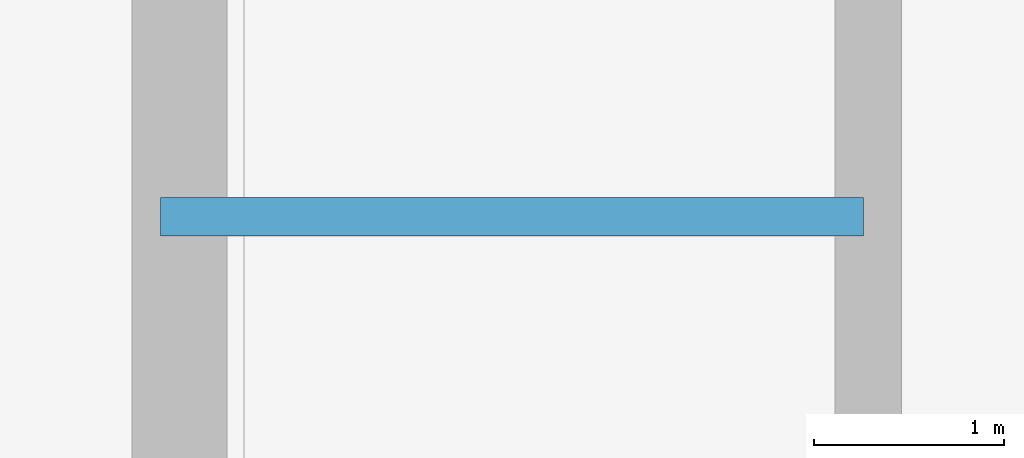
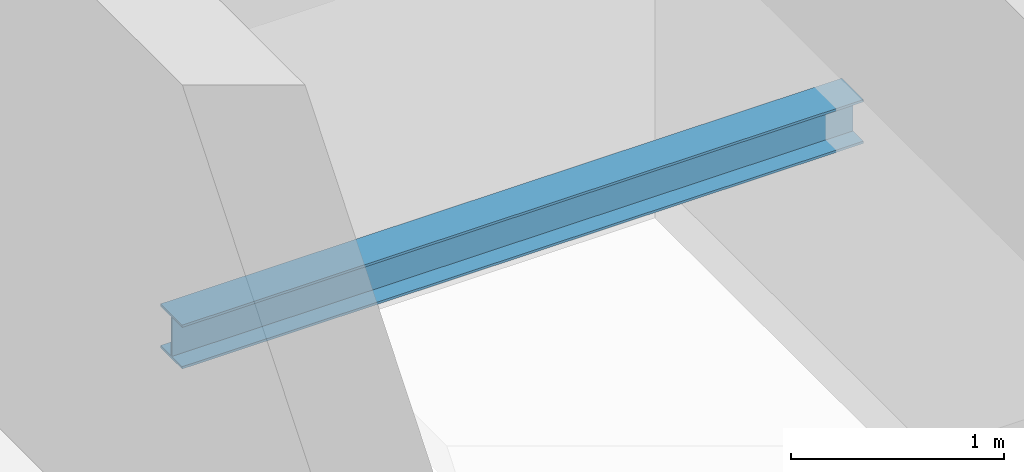
# One storey, part 15 of 33: 1 beam.
"""IFC4 building model written with IfcOpenShell, lengths in metres."""

from ifc_helpers import new_model, si_unit, direction, frame, origin, origin_2d, place, context, subcontext, project, spatial, i_section, extrude, material, material_profile, profile_set, type_object, element, save


model = new_model("IFC4")

# Units and contexts
model_context = context("Model", 3, precision=1e-05, world=origin(), true_north=direction((0.0, 1.0)))
body_context = subcontext(model_context, "Body", "Model", "MODEL_VIEW")
ifc_project = project(units=[si_unit("LENGTHUNIT", "METRE"), si_unit("AREAUNIT", "SQUARE_METRE"), si_unit("VOLUMEUNIT", "CUBIC_METRE"), si_unit("PLANEANGLEUNIT", "RADIAN"), si_unit("MASSUNIT", "GRAM", prefix="KILO")], contexts=[model_context])

# Site, building, storey
site_placement = place(None, origin())
site = spatial("IfcSite", under=ifc_project, at=site_placement, CompositionType="ELEMENT")
building_placement = place(site_placement, origin())
building = spatial("IfcBuilding", under=site, at=building_placement, Name="Veraguas Prism Commons", CompositionType="ELEMENT")
storey_placement = place(building_placement, frame((0.0, 0.0, 195.10009765625)))
storey = spatial("IfcBuildingStorey", under=building, at=storey_placement, Name="L55", CompositionType="ELEMENT", Elevation=195.10009765625)

# Beam
ifc_material = material(Name="Steel ASTM A992 Grade 50", Category="steel")
ifc_material_profile = material_profile(ifc_material, i_section(OverallWidth=0.202880859375, OverallDepth=0.251953125, WebThickness=0.008056640625, FlangeThickness=0.013427734375, at=origin_2d()), Name="W250X58")
ifc_profile_set = profile_set([ifc_material_profile], Name="Steel ASTM A992 Grade 50")
beam_type = type_object("IfcBeamType", Name="Structural Opening Lintel W250x58", PredefinedType="LINTEL", material=ifc_profile_set)
beam_placement = place(storey_placement, frame((17.25, 26.800048828125, 1.298828125), z_axis=(1.0, 0.0, 0.0), x_axis=(0.0, 1.0, 0.0)))
element("IfcBeam", 1, at=beam_placement, inside=storey, type_object=beam_type, Name="Stair ST-01 Half-Landing Support Beam L55-1", PredefinedType="LINTEL", context=body_context, shape_type="SweptSolid", body=[
    extrude(i_section(OverallWidth=0.202880859375, OverallDepth=0.251953125, WebThickness=0.008056640625, FlangeThickness=0.013427734375, at=origin_2d()), origin(), (0.0, 0.0, 1.0), 3.699951171875),
])

save(model, "model.ifc")
